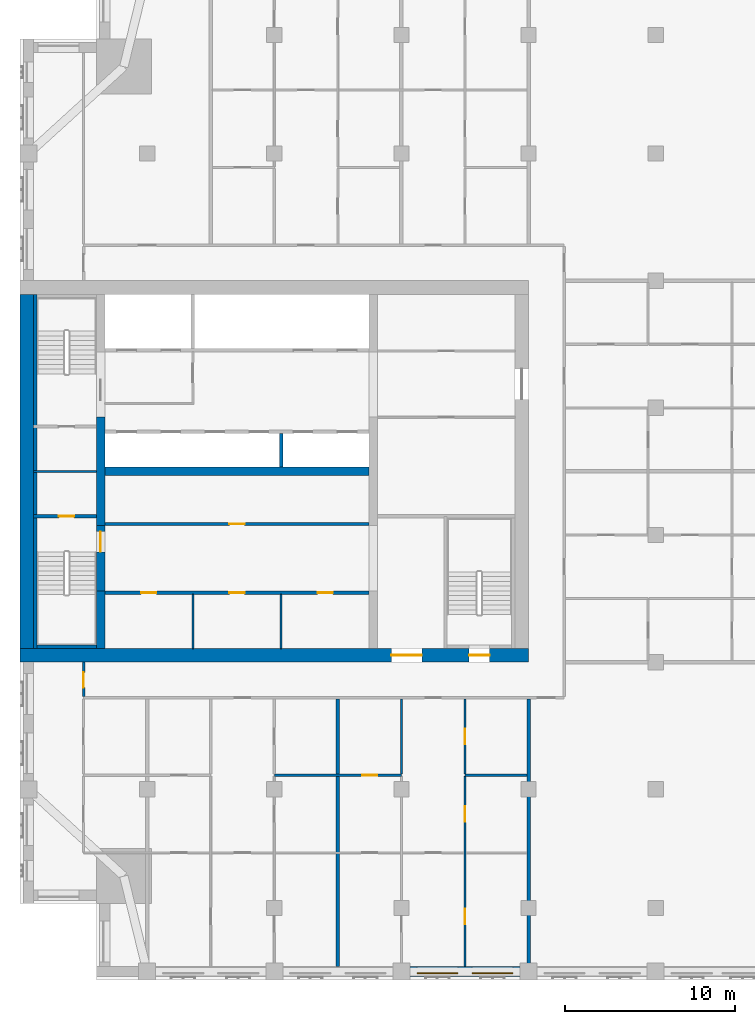
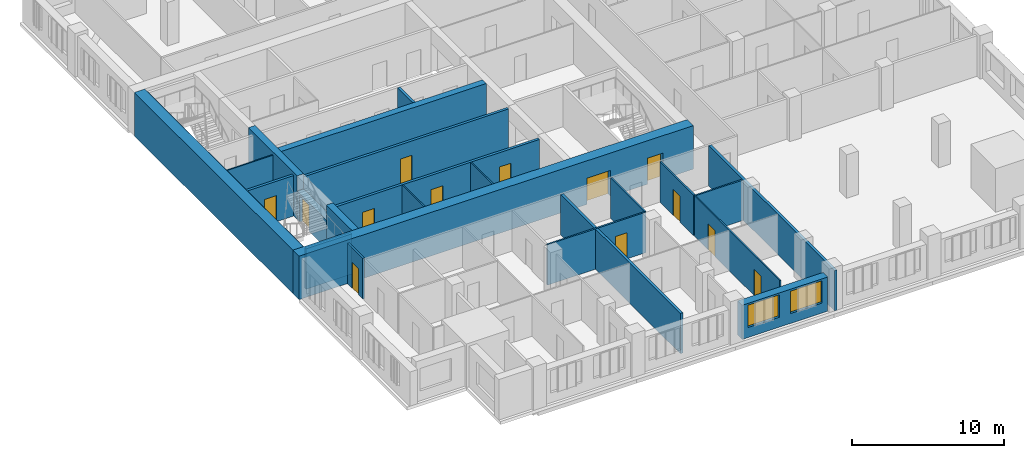
# One storey, part 7 of 14: 24 walls, 13 doors, 2 windows, 15 openings.
"""IFC4 building model written with IfcOpenShell, lengths in metres."""

from ifc_helpers import new_model, si_unit, direction, frame, frame_2d, origin, place, context, subcontext, project, spatial, rectangle, extrude, material, layer, layer_set, type_object, element, fill, save


model = new_model("IFC4")

# Units and contexts
model_context = context("Model", 3, precision=1e-05, world=origin(), true_north=direction((0.0, 1.0)))
body_context = subcontext(model_context, "Body", "Model", "MODEL_VIEW")
ifc_project = project(units=[si_unit("LENGTHUNIT", "METRE"), si_unit("AREAUNIT", "SQUARE_METRE"), si_unit("VOLUMEUNIT", "CUBIC_METRE"), si_unit("PLANEANGLEUNIT", "RADIAN"), si_unit("MASSUNIT", "GRAM", prefix="KILO")], contexts=[model_context])

# Site, building, storey
site_placement = place(None, origin())
site = spatial("IfcSite", under=ifc_project, at=site_placement, CompositionType="ELEMENT")
building_placement = place(site_placement, origin())
building = spatial("IfcBuilding", under=site, at=building_placement, Name="Tamorin Gate", CompositionType="ELEMENT")
storey_placement = place(building_placement, frame((0.0, 0.0, 193.199951171875)))
storey = spatial("IfcBuildingStorey", under=building, at=storey_placement, Name="L47", CompositionType="ELEMENT", Elevation=193.199951171875)

# Wall, openings, windows
ifc_material_1 = material(Name="Precast concrete C40/50", Category="concrete")
ifc_layer_1 = layer(ifc_material_1, 0.60009765625)
ifc_layer_set_1 = layer_set([ifc_layer_1], Name="Precast concrete C40/50")
wall_type_1 = type_object("IfcWallType", Name="Board-marked concrete facade panel 600", PredefinedType="SOLIDWALL", material=ifc_layer_set_1)
wall_1_placement = place(storey_placement, frame((53.0, 41.75, 0.0), z_axis=(0.0, 0.0, 1.0), x_axis=(1.0, 0.0, 0.0)))
wall_1 = element("IfcWall", 1, at=wall_1_placement, inside=storey, type_object=wall_type_1, Name="Facade panel", PredefinedType="SOLIDWALL", context=body_context, shape_type="SweptSolid", body=[
    extrude(rectangle(XDim=6.5, YDim=0.60009765625, at=frame_2d((3.25, 0.0))), origin(), (0.0, 0.0, 1.0), 2.75),
])
opening_1_placement = place(wall_1_placement, frame((0.425048828125, 0.0, 0.800048828125)))
opening_1 = element("IfcOpeningElement", 2, at=opening_1_placement, cuts=wall_1, Name="Opening WN1", PredefinedType="OPENING", context=body_context, shape_type="SweptSolid", body=[
    extrude(rectangle(XDim=2.39990234375, YDim=1.800048828125, at=frame_2d((1.199951171875, 0.89990234375))), frame((0.0, 0.31005859375, 0.0), z_axis=(0.0, -1.0, 0.0), x_axis=(1.0, 0.0, 0.0)), (0.0, 0.0, 1.0), 0.6201171875),
])
opening_2_placement = place(wall_1_placement, frame((3.675048828125, 0.0, 0.800048828125)))
opening_2 = element("IfcOpeningElement", 3, at=opening_2_placement, cuts=wall_1, Name="Opening WN1", PredefinedType="OPENING", context=body_context, shape_type="SweptSolid", body=[
    extrude(rectangle(XDim=2.39990234375, YDim=1.800048828125, at=frame_2d((1.199951171875, 0.89990234375))), frame((0.0, 0.31005859375, 0.0), z_axis=(0.0, -1.0, 0.0), x_axis=(1.0, 0.0, 0.0)), (0.0, 0.0, 1.0), 0.6201171875),
])
ifc_material_2 = material(Name="Clear glass in aluminium frame", Category="aluminium")
window_type = type_object("IfcWindowType", Name="Deep-set window 2400x1800", PartitioningType="SINGLE_PANEL", PredefinedType="WINDOW", material=ifc_material_2)
window_1_placement = place(opening_1_placement, origin())
window_1 = element("IfcWindow", 4, at=window_1_placement, inside=storey, type_object=window_type, Name="Deep-set window", OverallHeight=1.800048828125, OverallWidth=2.39990234375, PartitioningType="SINGLE_PANEL", PredefinedType="WINDOW", context=body_context, shape_type="SweptSolid", body=[
    extrude(rectangle(XDim=2.39990234375, YDim=1.800048828125, at=frame_2d((1.199951171875, 0.89990234375))), frame((0.0, -0.070068359375, 0.0), z_axis=(0.0, -1.0, 0.0), x_axis=(1.0, 0.0, 0.0)), (0.0, 0.0, 1.0), 0.06005859375),
])
fill(opening_1, window_1)
window_2_placement = place(opening_2_placement, origin())
window_2 = element("IfcWindow", 5, at=window_2_placement, inside=storey, type_object=window_type, Name="Deep-set window", OverallHeight=1.800048828125, OverallWidth=2.39990234375, PartitioningType="SINGLE_PANEL", PredefinedType="WINDOW", context=body_context, shape_type="SweptSolid", body=[
    extrude(rectangle(XDim=2.39990234375, YDim=1.800048828125, at=frame_2d((1.199951171875, 0.89990234375))), frame((0.0, -0.070068359375, 0.0), z_axis=(0.0, -1.0, 0.0), x_axis=(1.0, 0.0, 0.0)), (0.0, 0.0, 1.0), 0.06005859375),
])
fill(opening_2, window_2)

# Wall, opening, door
ifc_material_3 = material(Name="Gypsum board partition")
ifc_layer_2 = layer(ifc_material_3, 0.14990234375)
ifc_layer_set_2 = layer_set([ifc_layer_2], Name="Corridor wall 150")
wall_type_2 = type_object("IfcWallType", Name="Corridor wall 150", PredefinedType="PARTITIONING", material=ifc_layer_set_2)
wall_2_placement = place(storey_placement, frame((33.75, 57.97509765625, 0.0), z_axis=(0.0, 0.0, 1.0), x_axis=(0.0, 1.0, 0.0)))
wall_2 = element("IfcWall", 6, at=wall_2_placement, inside=storey, type_object=wall_type_2, Name="Corridor wall 150", PredefinedType="PARTITIONING", context=body_context, shape_type="SweptSolid", body=[
    extrude(rectangle(XDim=2.02490234375, YDim=0.14990234375, at=frame_2d((1.012451171875, 0.0))), origin(), (0.0, 0.0, 1.0), 3.25),
])
opening_3_placement = place(wall_2_placement, frame((0.52490234375, 0.0, 0.0)))
opening_3 = element("IfcOpeningElement", 7, at=opening_3_placement, cuts=wall_2, Name="Opening DR1001", PredefinedType="OPENING", context=body_context, shape_type="SweptSolid", body=[
    extrude(rectangle(XDim=0.89990234375, YDim=2.10009765625, at=frame_2d((0.449951171875, 1.050048828125))), frame((0.0, 0.0849609375, 0.0), z_axis=(0.0, -1.0, 0.0), x_axis=(1.0, 0.0, 0.0)), (0.0, 0.0, 1.0), 0.169921875),
])
ifc_material_4 = material(Name="Timber door leaf", Category="wood")
door_type_1 = type_object("IfcDoorType", Name="Door 900 x 2100 FD30S", OperationType="NOTDEFINED", PredefinedType="DOOR", material=ifc_material_4)
door_1_placement = place(opening_3_placement, origin())
door_1 = element("IfcDoor", 8, at=door_1_placement, inside=storey, type_object=door_type_1, Name="Door DR1001", OperationType="SINGLE_SWING_LEFT", OverallHeight=2.10009765625, OverallWidth=0.89990234375, PredefinedType="DOOR", context=body_context, shape_type="SweptSolid", body=[
    extrude(rectangle(XDim=0.89990234375, YDim=2.10009765625, at=frame_2d((0.449951171875, 1.050048828125))), frame((0.0, 0.02490234375, 0.0), z_axis=(0.0, -1.0, 0.0), x_axis=(1.0, 0.0, 0.0)), (0.0, 0.0, 1.0), 0.050048828125),
])
fill(opening_3, door_1)

# Walls
ifc_layer_3 = layer(ifc_material_3, 0.199951171875)
ifc_layer_set_3 = layer_set([ifc_layer_3], Name="Demising wall 200")
wall_type_3 = type_object("IfcWallType", Name="Demising wall 200", PredefinedType="PARTITIONING", material=ifc_layer_set_3)
wall_3_placement = place(storey_placement, frame((48.75, 42.06005859375, 0.0), z_axis=(0.0, 0.0, 1.0), x_axis=(0.0, 1.0, 0.0)))
element("IfcWall", 9, at=wall_3_placement, inside=storey, type_object=wall_type_3, Name="Demising wall 200", PredefinedType="PARTITIONING", context=body_context, shape_type="SweptSolid", body=[
    extrude(rectangle(XDim=15.764892578125, YDim=0.199951171875, at=frame_2d((7.88232421875, 0.0))), origin(), (0.0, 0.0, 1.0), 3.25),
])
wall_4_placement = place(storey_placement, frame((60.0, 41.25, 0.0), z_axis=(0.0, 0.0, 1.0), x_axis=(0.0, 1.0, 0.0)))
element("IfcWall", 10, at=wall_4_placement, inside=storey, type_object=wall_type_3, Name="Demising wall 200", PredefinedType="PARTITIONING", context=body_context, shape_type="SweptSolid", body=[
    extrude(rectangle(XDim=16.574951171875, YDim=0.199951171875, at=frame_2d((8.28759765625, 0.0))), origin(), (0.0, 0.0, 1.0), 3.25),
])
ifc_material_5 = material(Name="Concrete C32/40", Category="concrete")
ifc_layer_4 = layer(ifc_material_5, 0.199951171875)
ifc_layer_set_4 = layer_set([ifc_layer_4], Name="Lift shaft wall 200 EI 120")
wall_type_4 = type_object("IfcWallType", Name="Lift shaft wall 200 EI 120", PredefinedType="SOLIDWALL", material=ifc_layer_set_4)
wall_5_placement = place(storey_placement, frame((45.39990234375, 71.5, 0.0), z_axis=(0.0, 0.0, 1.0), x_axis=(0.0, 1.0, 0.0)))
element("IfcWall", 11, at=wall_5_placement, inside=storey, type_object=wall_type_4, Name="Lift shaft wall", PredefinedType="SOLIDWALL", context=body_context, shape_type="SweptSolid", body=[
    extrude(rectangle(XDim=2.0, YDim=0.199951171875, at=frame_2d((1.0, 0.0))), origin(), (0.0, 0.0, 1.0), 3.5),
])
ifc_material_6 = material(Name="Concrete C60/75", Category="concrete")
ifc_layer_5 = layer(ifc_material_6, 0.5)
ifc_layer_set_5 = layer_set([ifc_layer_5], Name="RC core internal wall 500 C60/75")
wall_type_5 = type_object("IfcWallType", Name="RC core internal wall 500 C60/75", PredefinedType="SHEAR", material=ifc_layer_set_5)
wall_6_placement = place(storey_placement, frame((35.0, 71.25, 0.0), z_axis=(0.0, 0.0, 1.0), x_axis=(1.0, 0.0, 0.0)))
element("IfcWall", 12, at=wall_6_placement, inside=storey, type_object=wall_type_5, Name="Core spine wall L47", PredefinedType="SHEAR", context=body_context, shape_type="SweptSolid", body=[
    extrude(rectangle(XDim=15.60009765625, YDim=0.5, at=frame_2d((7.800048828125, 0.0))), origin(), (0.0, 0.0, 1.0), 3.5),
])
wall_7_placement = place(storey_placement, frame((34.75, 60.800048828125, 0.0), z_axis=(0.0, 0.0, 1.0), x_axis=(0.0, 1.0, 0.0)))
element("IfcWall", 13, at=wall_7_placement, inside=storey, type_object=wall_type_5, Name="Core cross wall L47", PredefinedType="SHEAR", context=body_context, shape_type="SweptSolid", body=[
    extrude(rectangle(XDim=3.39990234375, YDim=0.5, at=frame_2d((1.699951171875, 0.0))), origin(), (0.0, 0.0, 1.0), 3.5),
])
wall_8_placement = place(storey_placement, frame((34.75, 68.050048828125, 0.0), z_axis=(0.0, 0.0, 1.0), x_axis=(0.0, 1.0, 0.0)))
element("IfcWall", 14, at=wall_8_placement, inside=storey, type_object=wall_type_5, Name="Core cross wall L47", PredefinedType="SHEAR", context=body_context, shape_type="SweptSolid", body=[
    extrude(rectangle(XDim=6.39990234375, YDim=0.5, at=frame_2d((3.199951171875, 0.0))), origin(), (0.0, 0.0, 1.0), 3.5),
])

# Wall, openings, doors
ifc_layer_6 = layer(ifc_material_6, 0.800048828125)
ifc_layer_set_6 = layer_set([ifc_layer_6], Name="RC core wall 800 C60/75")
wall_type_6 = type_object("IfcWallType", Name="RC core wall 800 C60/75", PredefinedType="SHEAR", material=ifc_layer_set_6)
wall_9_placement = place(storey_placement, frame((30.0, 60.39990234375, 0.0), z_axis=(0.0, 0.0, 1.0), x_axis=(1.0, 0.0, 0.0)))
wall_9 = element("IfcWall", 15, at=wall_9_placement, inside=storey, type_object=wall_type_6, Name="Core wall L47", PredefinedType="SHEAR", context=body_context, shape_type="SweptSolid", body=[
    extrude(rectangle(XDim=30.0, YDim=0.800048828125, at=frame_2d((15.0, 0.0))), origin(), (0.0, 0.0, 1.0), 3.5),
])
opening_4_placement = place(wall_9_placement, frame((21.89990234375, 0.0, 0.0)))
opening_4 = element("IfcOpeningElement", 16, at=opening_4_placement, cuts=wall_9, Name="Opening DE1", PredefinedType="OPENING", context=body_context, shape_type="SweptSolid", body=[
    extrude(rectangle(XDim=1.800048828125, YDim=2.10009765625, at=frame_2d((0.89990234375, 1.050048828125))), frame((0.0, 0.409912109375, 0.0), z_axis=(0.0, -1.0, 0.0), x_axis=(1.0, 0.0, 0.0)), (0.0, 0.0, 1.0), 0.820068359375),
])
opening_5_placement = place(wall_9_placement, frame((26.5, 0.0, 0.0)))
opening_5 = element("IfcOpeningElement", 17, at=opening_5_placement, cuts=wall_9, Name="Opening DS1", PredefinedType="OPENING", context=body_context, shape_type="SweptSolid", body=[
    extrude(rectangle(XDim=1.199951171875, YDim=2.10009765625, at=frame_2d((0.60009765625, 1.050048828125))), frame((0.0, 0.409912109375, 0.0), z_axis=(0.0, -1.0, 0.0), x_axis=(1.0, 0.0, 0.0)), (0.0, 0.0, 1.0), 0.820068359375),
])
ifc_material_7 = material(Name="Steel fire door", Category="steel")
door_type_2 = type_object("IfcDoorType", Name="Lobby exit double door 1800 x 2100 EI 60", OperationType="DOUBLE_DOOR_SINGLE_SWING", PredefinedType="DOOR", material=ifc_material_7)
door_2_placement = place(opening_4_placement, origin())
door_2 = element("IfcDoor", 18, at=door_2_placement, inside=storey, type_object=door_type_2, Name="Lift lobby A exit door", OperationType="DOUBLE_DOOR_SINGLE_SWING", OverallHeight=2.10009765625, OverallWidth=1.800048828125, PredefinedType="DOOR", context=body_context, shape_type="SweptSolid", body=[
    extrude(rectangle(XDim=1.800048828125, YDim=2.10009765625, at=frame_2d((0.89990234375, 1.050048828125))), frame((0.0, 0.02490234375, 0.0), z_axis=(0.0, -1.0, 0.0), x_axis=(1.0, 0.0, 0.0)), (0.0, 0.0, 1.0), 0.050048828125),
])
fill(opening_4, door_2)
door_type_3 = type_object("IfcDoorType", Name="Stair door 1200 x 2100 EI 90", OperationType="SINGLE_SWING_LEFT", PredefinedType="DOOR", material=ifc_material_7)
door_3_placement = place(opening_5_placement, origin())
door_3 = element("IfcDoor", 19, at=door_3_placement, inside=storey, type_object=door_type_3, Name="ST3 door", OperationType="SINGLE_SWING_LEFT", OverallHeight=2.10009765625, OverallWidth=1.199951171875, PredefinedType="DOOR", context=body_context, shape_type="SweptSolid", body=[
    extrude(rectangle(XDim=1.199951171875, YDim=2.10009765625, at=frame_2d((0.60009765625, 1.050048828125))), frame((0.0, 0.02490234375, 0.0), z_axis=(0.0, -1.0, 0.0), x_axis=(1.0, 0.0, 0.0)), (0.0, 0.0, 1.0), 0.050048828125),
])
fill(opening_5, door_3)

# Walls
wall_10_placement = place(storey_placement, frame((30.39990234375, 60.800048828125, 0.0), z_axis=(0.0, 0.0, 1.0), x_axis=(0.0, 1.0, 0.0)))
element("IfcWall", 20, at=wall_10_placement, inside=storey, type_object=wall_type_6, Name="Core wall L47", PredefinedType="SHEAR", context=body_context, shape_type="SweptSolid", body=[
    extrude(rectangle(XDim=20.89990234375, YDim=0.800048828125, at=frame_2d((10.449951171875, 0.0))), origin(), (0.0, 0.0, 1.0), 3.5),
])
ifc_material_8 = material(Name="Fire-rated gypsum board partition")
ifc_layer_7 = layer(ifc_material_8, 0.10009765625)
ifc_layer_set_7 = layer_set([ifc_layer_7], Name="Riser partition 100 EI 120")
wall_type_7 = type_object("IfcWallType", Name="Riser partition 100 EI 120", PredefinedType="PARTITIONING", material=ifc_layer_set_7)
wall_11_placement = place(storey_placement, frame((30.800048828125, 71.25, 0.0), z_axis=(0.0, 0.0, 1.0), x_axis=(1.0, 0.0, 0.0)))
element("IfcWall", 21, at=wall_11_placement, inside=storey, type_object=wall_type_7, Name="Riser partition", PredefinedType="PARTITIONING", context=body_context, shape_type="SweptSolid", body=[
    extrude(rectangle(XDim=3.699951171875, YDim=0.10009765625, at=frame_2d((1.85009765625, 0.0))), origin(), (0.0, 0.0, 1.0), 3.25),
])

# Wall, openings, doors
ifc_layer_8 = layer(ifc_material_3, 0.10009765625)
ifc_layer_set_8 = layer_set([ifc_layer_8], Name="Room partition 100")
wall_type_8 = type_object("IfcWallType", Name="Room partition 100", PredefinedType="PARTITIONING", material=ifc_layer_set_8)
wall_12_placement = place(storey_placement, frame((56.25, 42.06005859375, 0.0), z_axis=(0.0, 0.0, 1.0), x_axis=(0.0, 1.0, 0.0)))
wall_12 = element("IfcWall", 22, at=wall_12_placement, inside=storey, type_object=wall_type_8, Name="Room partition 100", PredefinedType="PARTITIONING", context=body_context, shape_type="SweptSolid", body=[
    extrude(rectangle(XDim=11.202392578125, YDim=0.10009765625, at=frame_2d((5.60107421875, 0.0))), origin(), (0.0, 0.0, 1.0), 3.25),
])
opening_6_placement = place(wall_12_placement, frame((8.527587890625, 0.0, 0.0)))
opening_6 = element("IfcOpeningElement", 23, at=opening_6_placement, cuts=wall_12, Name="Opening DR1016", PredefinedType="OPENING", context=body_context, shape_type="SweptSolid", body=[
    extrude(rectangle(XDim=0.89990234375, YDim=2.10009765625, at=frame_2d((0.449951171875, 1.050048828125))), frame((0.0, 0.06005859375, 0.0), z_axis=(0.0, -1.0, 0.0), x_axis=(1.0, 0.0, 0.0)), (0.0, 0.0, 1.0), 0.1201171875),
])
opening_7_placement = place(wall_12_placement, frame((2.489990234375, 0.0, 0.0)))
opening_7 = element("IfcOpeningElement", 24, at=opening_7_placement, cuts=wall_12, Name="Opening DR1019", PredefinedType="OPENING", context=body_context, shape_type="SweptSolid", body=[
    extrude(rectangle(XDim=0.89990234375, YDim=2.10009765625, at=frame_2d((0.449951171875, 1.050048828125))), frame((0.0, 0.06005859375, 0.0), z_axis=(0.0, -1.0, 0.0), x_axis=(1.0, 0.0, 0.0)), (0.0, 0.0, 1.0), 0.1201171875),
])
door_type_4 = type_object("IfcDoorType", Name="Door 900 x 2100", OperationType="NOTDEFINED", PredefinedType="DOOR", material=ifc_material_4)
door_4_placement = place(opening_6_placement, origin())
door_4 = element("IfcDoor", 25, at=door_4_placement, inside=storey, type_object=door_type_4, Name="Door DR1016", OperationType="SINGLE_SWING_RIGHT", OverallHeight=2.10009765625, OverallWidth=0.89990234375, PredefinedType="DOOR", context=body_context, shape_type="SweptSolid", body=[
    extrude(rectangle(XDim=0.89990234375, YDim=2.10009765625, at=frame_2d((0.449951171875, 1.050048828125))), frame((0.0, 0.02490234375, 0.0), z_axis=(0.0, -1.0, 0.0), x_axis=(1.0, 0.0, 0.0)), (0.0, 0.0, 1.0), 0.050048828125),
])
fill(opening_6, door_4)
door_5_placement = place(opening_7_placement, origin())
door_5 = element("IfcDoor", 26, at=door_5_placement, inside=storey, type_object=door_type_4, Name="Door DR1019", OperationType="SINGLE_SWING_LEFT", OverallHeight=2.10009765625, OverallWidth=0.89990234375, PredefinedType="DOOR", context=body_context, shape_type="SweptSolid", body=[
    extrude(rectangle(XDim=0.89990234375, YDim=2.10009765625, at=frame_2d((0.449951171875, 1.050048828125))), frame((0.0, 0.02490234375, 0.0), z_axis=(0.0, -1.0, 0.0), x_axis=(1.0, 0.0, 0.0)), (0.0, 0.0, 1.0), 0.050048828125),
])
fill(opening_7, door_5)

ifc_layer_9 = layer(ifc_material_3, 0.199951171875)
ifc_layer_set_9 = layer_set([ifc_layer_9], Name="Service room face wall 200 EI 60")
wall_type_9 = type_object("IfcWallType", Name="Service room face wall 200 EI 60", PredefinedType="PARTITIONING", material=ifc_layer_set_9)
wall_13_placement = place(storey_placement, frame((35.0, 64.10009765625, 0.0), z_axis=(0.0, 0.0, 1.0), x_axis=(1.0, 0.0, 0.0)))
wall_13 = element("IfcWall", 27, at=wall_13_placement, inside=storey, type_object=wall_type_9, Name="Service room face wall", PredefinedType="PARTITIONING", context=body_context, shape_type="SweptSolid", body=[
    extrude(rectangle(XDim=15.60009765625, YDim=0.199951171875, at=frame_2d((7.800048828125, 0.0))), origin(), (0.0, 0.0, 1.0), 3.25),
])
opening_8_placement = place(wall_13_placement, frame((2.14990234375, 0.0, 0.0)))
opening_8 = element("IfcOpeningElement", 28, at=opening_8_placement, cuts=wall_13, Name="Opening DK1", PredefinedType="OPENING", context=body_context, shape_type="SweptSolid", body=[
    extrude(rectangle(XDim=0.89990234375, YDim=2.10009765625, at=frame_2d((0.449951171875, 1.050048828125))), frame((0.0, 0.10986328125, 0.0), z_axis=(0.0, -1.0, 0.0), x_axis=(1.0, 0.0, 0.0)), (0.0, 0.0, 1.0), 0.219970703125),
])
opening_9_placement = place(wall_13_placement, frame((7.35009765625, 0.0, 0.0)))
opening_9 = element("IfcOpeningElement", 29, at=opening_9_placement, cuts=wall_13, Name="Opening DK1", PredefinedType="OPENING", context=body_context, shape_type="SweptSolid", body=[
    extrude(rectangle(XDim=0.89990234375, YDim=2.10009765625, at=frame_2d((0.449951171875, 1.050048828125))), frame((0.0, 0.10986328125, 0.0), z_axis=(0.0, -1.0, 0.0), x_axis=(1.0, 0.0, 0.0)), (0.0, 0.0, 1.0), 0.219970703125),
])
opening_10_placement = place(wall_13_placement, frame((12.550048828125, 0.0, 0.0)))
opening_10 = element("IfcOpeningElement", 30, at=opening_10_placement, cuts=wall_13, Name="Opening DK1", PredefinedType="OPENING", context=body_context, shape_type="SweptSolid", body=[
    extrude(rectangle(XDim=0.89990234375, YDim=2.10009765625, at=frame_2d((0.449951171875, 1.050048828125))), frame((0.0, 0.10986328125, 0.0), z_axis=(0.0, -1.0, 0.0), x_axis=(1.0, 0.0, 0.0)), (0.0, 0.0, 1.0), 0.219970703125),
])
ifc_material_9 = material(Name="Timber fire door", Category="wood")
door_type_5 = type_object("IfcDoorType", Name="Service room door 900 x 2100 EI 60", OperationType="SINGLE_SWING_LEFT", PredefinedType="DOOR", material=ifc_material_9)
door_6_placement = place(opening_8_placement, origin())
door_6 = element("IfcDoor", 31, at=door_6_placement, inside=storey, type_object=door_type_5, Name="Door Housekeeping store", OperationType="SINGLE_SWING_LEFT", OverallHeight=2.10009765625, OverallWidth=0.89990234375, PredefinedType="DOOR", context=body_context, shape_type="SweptSolid", body=[
    extrude(rectangle(XDim=0.89990234375, YDim=2.10009765625, at=frame_2d((0.449951171875, 1.050048828125))), frame((0.0, 0.02490234375, 0.0), z_axis=(0.0, -1.0, 0.0), x_axis=(1.0, 0.0, 0.0)), (0.0, 0.0, 1.0), 0.050048828125),
])
fill(opening_8, door_6)
door_7_placement = place(opening_9_placement, origin())
door_7 = element("IfcDoor", 32, at=door_7_placement, inside=storey, type_object=door_type_5, Name="Door Parcel and storage room", OperationType="SINGLE_SWING_RIGHT", OverallHeight=2.10009765625, OverallWidth=0.89990234375, PredefinedType="DOOR", context=body_context, shape_type="SweptSolid", body=[
    extrude(rectangle(XDim=0.89990234375, YDim=2.10009765625, at=frame_2d((0.449951171875, 1.050048828125))), frame((0.0, 0.02490234375, 0.0), z_axis=(0.0, -1.0, 0.0), x_axis=(1.0, 0.0, 0.0)), (0.0, 0.0, 1.0), 0.050048828125),
])
fill(opening_9, door_7)
door_8_placement = place(opening_10_placement, origin())
door_8 = element("IfcDoor", 33, at=door_8_placement, inside=storey, type_object=door_type_5, Name="Door Refuse and recycling room", OperationType="SINGLE_SWING_LEFT", OverallHeight=2.10009765625, OverallWidth=0.89990234375, PredefinedType="DOOR", context=body_context, shape_type="SweptSolid", body=[
    extrude(rectangle(XDim=0.89990234375, YDim=2.10009765625, at=frame_2d((0.449951171875, 1.050048828125))), frame((0.0, 0.02490234375, 0.0), z_axis=(0.0, -1.0, 0.0), x_axis=(1.0, 0.0, 0.0)), (0.0, 0.0, 1.0), 0.050048828125),
])
fill(opening_10, door_8)

# Wall, opening, door
wall_14_placement = place(storey_placement, frame((35.0, 68.14990234375, 0.0), z_axis=(0.0, 0.0, 1.0), x_axis=(1.0, 0.0, 0.0)))
wall_14 = element("IfcWall", 34, at=wall_14_placement, inside=storey, type_object=wall_type_9, Name="Service room face wall", PredefinedType="PARTITIONING", context=body_context, shape_type="SweptSolid", body=[
    extrude(rectangle(XDim=15.60009765625, YDim=0.199951171875, at=frame_2d((7.800048828125, 0.0))), origin(), (0.0, 0.0, 1.0), 3.25),
])
opening_11_placement = place(wall_14_placement, frame((7.35009765625, 0.0, 0.0)))
opening_11 = element("IfcOpeningElement", 35, at=opening_11_placement, cuts=wall_14, Name="Opening DK1", PredefinedType="OPENING", context=body_context, shape_type="SweptSolid", body=[
    extrude(rectangle(XDim=0.89990234375, YDim=2.10009765625, at=frame_2d((0.449951171875, 1.050048828125))), frame((0.0, 0.10986328125, 0.0), z_axis=(0.0, -1.0, 0.0), x_axis=(1.0, 0.0, 0.0)), (0.0, 0.0, 1.0), 0.219970703125),
])
door_9_placement = place(opening_11_placement, origin())
door_9 = element("IfcDoor", 36, at=door_9_placement, inside=storey, type_object=door_type_5, Name="Door Housekeeping and maintenance store", OperationType="SINGLE_SWING_LEFT", OverallHeight=2.10009765625, OverallWidth=0.89990234375, PredefinedType="DOOR", context=body_context, shape_type="SweptSolid", body=[
    extrude(rectangle(XDim=0.89990234375, YDim=2.10009765625, at=frame_2d((0.449951171875, 1.050048828125))), frame((0.0, 0.02490234375, 0.0), z_axis=(0.0, -1.0, 0.0), x_axis=(1.0, 0.0, 0.0)), (0.0, 0.0, 1.0), 0.050048828125),
])
fill(opening_11, door_9)

# Walls
ifc_layer_10 = layer(ifc_material_3, 0.10009765625)
ifc_layer_set_10 = layer_set([ifc_layer_10], Name="Service room partition 100 EI 60")
wall_type_10 = type_object("IfcWallType", Name="Service room partition 100 EI 60", PredefinedType="PARTITIONING", material=ifc_layer_set_10)
for number, where, z_axis, x_axis, name in (
    (37, (40.199951171875, 60.800048828125, 0.0), (0.0, 0.0, 1.0), (0.0, 1.0, 0.0), "Service room partition"),
    (38, (45.39990234375, 60.800048828125, 0.0), (0.0, 0.0, 1.0), (0.0, 1.0, 0.0), "Service room partition"),
):
    element("IfcWall", number, at=place(storey_placement, frame(where, z_axis=z_axis, x_axis=x_axis)), inside=storey, type_object=wall_type_10, Name=name, PredefinedType="PARTITIONING", context=body_context, shape_type="SweptSolid", body=[
        extrude(rectangle(XDim=3.199951171875, YDim=0.10009765625, at=frame_2d((1.60009765625, 0.0))), origin(), (0.0, 0.0, 1.0), 3.25),
    ])

# Wall, opening, door
ifc_material_10 = material(Name="Concrete C40/50", Category="concrete")
ifc_layer_11 = layer(ifc_material_10, 0.199951171875)
ifc_layer_set_11 = layer_set([ifc_layer_11], Name="Stair enclosure wall 200 EI 120 C40/50")
wall_type_11 = type_object("IfcWallType", Name="Stair enclosure wall 200 EI 120 C40/50", PredefinedType="SOLIDWALL", material=ifc_layer_set_11)
wall_15_placement = place(storey_placement, frame((30.800048828125, 68.60009765625, 0.0), z_axis=(0.0, 0.0, 1.0), x_axis=(1.0, 0.0, 0.0)))
wall_15 = element("IfcWall", 39, at=wall_15_placement, inside=storey, type_object=wall_type_11, Name="Stair enclosure wall", PredefinedType="SOLIDWALL", context=body_context, shape_type="SweptSolid", body=[
    extrude(rectangle(XDim=3.699951171875, YDim=0.199951171875, at=frame_2d((1.85009765625, 0.0))), origin(), (0.0, 0.0, 1.0), 3.25),
])
opening_12_placement = place(wall_15_placement, frame((1.5, 0.0, 0.0)))
opening_12 = element("IfcOpeningElement", 40, at=opening_12_placement, cuts=wall_15, Name="Opening DR1", PredefinedType="OPENING", context=body_context, shape_type="SweptSolid", body=[
    extrude(rectangle(XDim=0.89990234375, YDim=2.10009765625, at=frame_2d((0.449951171875, 1.050048828125))), frame((0.0, 0.10986328125, 0.0), z_axis=(0.0, -1.0, 0.0), x_axis=(1.0, 0.0, 0.0)), (0.0, 0.0, 1.0), 0.219970703125),
])
door_type_6 = type_object("IfcDoorType", Name="Riser access door 900 x 2100 EI 120", OperationType="SINGLE_SWING_LEFT", PredefinedType="DOOR", material=ifc_material_7)
door_10_placement = place(opening_12_placement, origin())
door_10 = element("IfcDoor", 41, at=door_10_placement, inside=storey, type_object=door_type_6, Name="Electrical riser door", OperationType="SINGLE_SWING_LEFT", OverallHeight=2.10009765625, OverallWidth=0.89990234375, PredefinedType="DOOR", context=body_context, shape_type="SweptSolid", body=[
    extrude(rectangle(XDim=0.89990234375, YDim=2.10009765625, at=frame_2d((0.449951171875, 1.050048828125))), frame((0.0, 0.02490234375, 0.0), z_axis=(0.0, -1.0, 0.0), x_axis=(1.0, 0.0, 0.0)), (0.0, 0.0, 1.0), 0.050048828125),
])
fill(opening_12, door_10)

# Walls
ifc_layer_12 = layer(ifc_material_6, 0.199951171875)
ifc_layer_set_12 = layer_set([ifc_layer_12], Name="Stair lining wall 200 EI 120 C60/75")
wall_type_12 = type_object("IfcWallType", Name="Stair lining wall 200 EI 120 C60/75", PredefinedType="SOLIDWALL", material=ifc_layer_set_12)
wall_16_placement = place(storey_placement, frame((30.89990234375, 60.800048828125, 0.0), z_axis=(0.0, 0.0, 1.0), x_axis=(0.0, 1.0, 0.0)))
element("IfcWall", 42, at=wall_16_placement, inside=storey, type_object=wall_type_12, Name="Stair lining wall", PredefinedType="SOLIDWALL", context=body_context, shape_type="SweptSolid", body=[
    extrude(rectangle(XDim=20.89990234375, YDim=0.199951171875, at=frame_2d((10.449951171875, 0.0))), origin(), (0.0, 0.0, 1.0), 3.25),
])
wall_17_placement = place(storey_placement, frame((31.0, 60.89990234375, 0.0), z_axis=(0.0, 0.0, 1.0), x_axis=(1.0, 0.0, 0.0)))
element("IfcWall", 43, at=wall_17_placement, inside=storey, type_object=wall_type_12, Name="Stair lining wall", PredefinedType="SOLIDWALL", context=body_context, shape_type="SweptSolid", body=[
    extrude(rectangle(XDim=3.5, YDim=0.199951171875, at=frame_2d((1.75, 0.0))), origin(), (0.0, 0.0, 1.0), 3.25),
])

# Wall, opening, door
ifc_layer_13 = layer(ifc_material_5, 0.5)
ifc_layer_set_13 = layer_set([ifc_layer_13], Name="Stair lobby infill wall 500 EI 120")
wall_type_13 = type_object("IfcWallType", Name="Stair lobby infill wall 500 EI 120", PredefinedType="SOLIDWALL", material=ifc_layer_set_13)
wall_18_placement = place(storey_placement, frame((34.75, 64.199951171875, 0.0), z_axis=(0.0, 0.0, 1.0), x_axis=(0.0, 1.0, 0.0)))
wall_18 = element("IfcWall", 44, at=wall_18_placement, inside=storey, type_object=wall_type_13, Name="Stair lobby infill wall", PredefinedType="SOLIDWALL", context=body_context, shape_type="SweptSolid", body=[
    extrude(rectangle(XDim=3.85009765625, YDim=0.5, at=frame_2d((1.925048828125, 0.0))), origin(), (0.0, 0.0, 1.0), 2.300048828125),
])
opening_13_placement = place(wall_18_placement, frame((2.300048828125, 0.0, 0.0)))
opening_13 = element("IfcOpeningElement", 45, at=opening_13_placement, cuts=wall_18, Name="Opening DS1", PredefinedType="OPENING", context=body_context, shape_type="SweptSolid", body=[
    extrude(rectangle(XDim=1.199951171875, YDim=2.10009765625, at=frame_2d((0.60009765625, 1.050048828125))), frame((0.0, 0.260009765625, 0.0), z_axis=(0.0, -1.0, 0.0), x_axis=(1.0, 0.0, 0.0)), (0.0, 0.0, 1.0), 0.52001953125),
])
door_11_placement = place(opening_13_placement, origin())
door_11 = element("IfcDoor", 46, at=door_11_placement, inside=storey, type_object=door_type_3, Name="ST1 door", OperationType="SINGLE_SWING_LEFT", OverallHeight=2.10009765625, OverallWidth=1.199951171875, PredefinedType="DOOR", context=body_context, shape_type="SweptSolid", body=[
    extrude(rectangle(XDim=1.199951171875, YDim=2.10009765625, at=frame_2d((0.60009765625, 1.050048828125))), frame((0.0, 0.02490234375, 0.0), z_axis=(0.0, -1.0, 0.0), x_axis=(1.0, 0.0, 0.0)), (0.0, 0.0, 1.0), 0.050048828125),
])
fill(opening_13, door_11)

ifc_layer_14 = layer(ifc_material_3, 0.125)
ifc_layer_set_14 = layer_set([ifc_layer_14], Name="Wet wall 125")
wall_type_14 = type_object("IfcWallType", Name="Wet wall 125", PredefinedType="PARTITIONING", material=ifc_layer_set_14)
wall_19_placement = place(storey_placement, frame((45.0, 53.324951171875, 0.0), z_axis=(0.0, 0.0, 1.0), x_axis=(1.0, 0.0, 0.0)))
wall_19 = element("IfcWall", 47, at=wall_19_placement, inside=storey, type_object=wall_type_14, Name="Wet wall 125", PredefinedType="PARTITIONING", context=body_context, shape_type="SweptSolid", body=[
    extrude(rectangle(XDim=7.5, YDim=0.125, at=frame_2d((3.75, 0.0))), origin(), (0.0, 0.0, 1.0), 3.25),
])
opening_14_placement = place(wall_19_placement, frame((5.175048828125, 0.0, 0.0)))
opening_14 = element("IfcOpeningElement", 48, at=opening_14_placement, cuts=wall_19, Name="Opening DR1013", PredefinedType="OPENING", context=body_context, shape_type="SweptSolid", body=[
    extrude(rectangle(XDim=0.89990234375, YDim=2.10009765625, at=frame_2d((0.449951171875, 1.050048828125))), frame((0.0, 0.072509765625, 0.0), z_axis=(0.0, -1.0, 0.0), x_axis=(1.0, 0.0, 0.0)), (0.0, 0.0, 1.0), 0.14501953125),
])
door_12_placement = place(opening_14_placement, origin())
door_12 = element("IfcDoor", 49, at=door_12_placement, inside=storey, type_object=door_type_4, Name="Door DR1013", OperationType="SINGLE_SWING_LEFT", OverallHeight=2.10009765625, OverallWidth=0.89990234375, PredefinedType="DOOR", context=body_context, shape_type="SweptSolid", body=[
    extrude(rectangle(XDim=0.89990234375, YDim=2.10009765625, at=frame_2d((0.449951171875, 1.050048828125))), frame((0.0, 0.02490234375, 0.0), z_axis=(0.0, -1.0, 0.0), x_axis=(1.0, 0.0, 0.0)), (0.0, 0.0, 1.0), 0.050048828125),
])
fill(opening_14, door_12)

# Walls
wall_20_placement = place(storey_placement, frame((56.25, 53.324951171875, 0.0), z_axis=(0.0, 0.0, 1.0), x_axis=(1.0, 0.0, 0.0)))
element("IfcWall", 50, at=wall_20_placement, inside=storey, type_object=wall_type_14, Name="Wet wall 125", PredefinedType="PARTITIONING", context=body_context, shape_type="SweptSolid", body=[
    extrude(rectangle(XDim=3.64990234375, YDim=0.125, at=frame_2d((1.824951171875, 0.0))), origin(), (0.0, 0.0, 1.0), 3.25),
])
wall_21_placement = place(storey_placement, frame((52.5, 53.387451171875, 0.0), z_axis=(0.0, 0.0, 1.0), x_axis=(0.0, 1.0, 0.0)))
element("IfcWall", 51, at=wall_21_placement, inside=storey, type_object=wall_type_14, Name="Wet wall 125", PredefinedType="PARTITIONING", context=body_context, shape_type="SweptSolid", body=[
    extrude(rectangle(XDim=4.4375, YDim=0.125, at=frame_2d((2.21875, 0.0))), origin(), (0.0, 0.0, 1.0), 3.25),
])

# Wall, opening, door
wall_22_placement = place(storey_placement, frame((56.25, 53.387451171875, 0.0), z_axis=(0.0, 0.0, 1.0), x_axis=(0.0, 1.0, 0.0)))
wall_22 = element("IfcWall", 52, at=wall_22_placement, inside=storey, type_object=wall_type_14, Name="Wet wall 125", PredefinedType="PARTITIONING", context=body_context, shape_type="SweptSolid", body=[
    extrude(rectangle(XDim=4.4375, YDim=0.125, at=frame_2d((2.21875, 0.0))), origin(), (0.0, 0.0, 1.0), 3.25),
])
opening_15_placement = place(wall_22_placement, frame((1.77490234375, 0.0, 0.0)))
opening_15 = element("IfcOpeningElement", 53, at=opening_15_placement, cuts=wall_22, Name="Opening DR1017", PredefinedType="OPENING", context=body_context, shape_type="SweptSolid", body=[
    extrude(rectangle(XDim=0.89990234375, YDim=2.10009765625, at=frame_2d((0.449951171875, 1.050048828125))), frame((0.0, 0.072509765625, 0.0), z_axis=(0.0, -1.0, 0.0), x_axis=(1.0, 0.0, 0.0)), (0.0, 0.0, 1.0), 0.14501953125),
])
door_13_placement = place(opening_15_placement, origin())
door_13 = element("IfcDoor", 54, at=door_13_placement, inside=storey, type_object=door_type_4, Name="Door DR1017", OperationType="SINGLE_SWING_RIGHT", OverallHeight=2.10009765625, OverallWidth=0.89990234375, PredefinedType="DOOR", context=body_context, shape_type="SweptSolid", body=[
    extrude(rectangle(XDim=0.89990234375, YDim=2.10009765625, at=frame_2d((0.449951171875, 1.050048828125))), frame((0.0, 0.02490234375, 0.0), z_axis=(0.0, -1.0, 0.0), x_axis=(1.0, 0.0, 0.0)), (0.0, 0.0, 1.0), 0.050048828125),
])
fill(opening_15, door_13)

save(model, "model.ifc")
